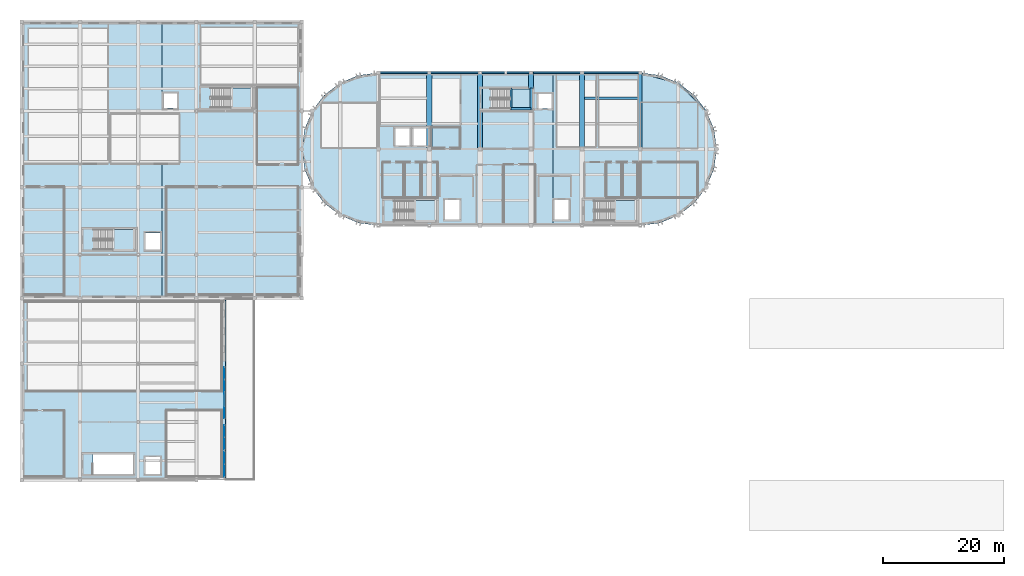
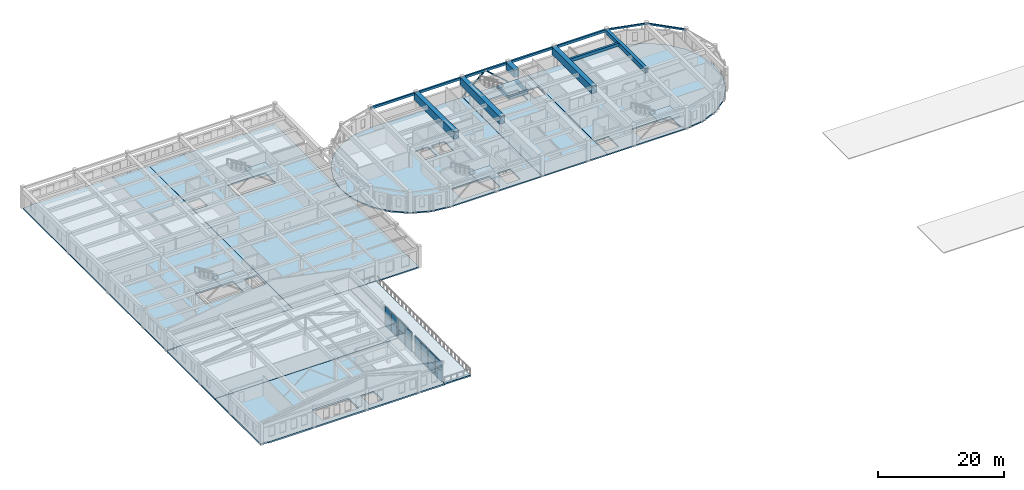
# One storey, part 8 of 31: 16 beams, 16 plates, 13 slabs, 2 members, 9 elements without a shape of their own.
"""IFC4 building model written with IfcOpenShell, lengths in metres."""

from ifc_helpers import new_model, si_unit, direction, frame, origin, origin_2d, place, context, subcontext, project, spatial, polyline, rectangle, hollow_rectangle, outline, extrude, material, layer, layer_set, material_profile, profile_set, type_object, element, aggregate, save


model = new_model("IFC4")

# Units and contexts
model_context = context("Model", 3, precision=1e-05, world=origin(), true_north=direction((0.0, 1.0)))
body_context = subcontext(model_context, "Body", "Model", "MODEL_VIEW")
ifc_project = project(units=[si_unit("LENGTHUNIT", "METRE"), si_unit("AREAUNIT", "SQUARE_METRE"), si_unit("VOLUMEUNIT", "CUBIC_METRE"), si_unit("PLANEANGLEUNIT", "RADIAN"), si_unit("MASSUNIT", "GRAM", prefix="KILO")], contexts=[model_context])

# Site, building, storey
site_placement = place(None, origin())
site = spatial("IfcSite", under=ifc_project, at=site_placement, CompositionType="ELEMENT")
building_placement = place(site_placement, origin())
building = spatial("IfcBuilding", under=site, at=building_placement, Name="Tarnavel Promenade Courthouse", CompositionType="ELEMENT")
storey_placement = place(building_placement, frame((0.0, 0.0, 18.60009765625)))
storey = spatial("IfcBuildingStorey", under=building, at=storey_placement, Name="L05", CompositionType="ELEMENT", Elevation=18.60009765625)

# Beams
ifc_material_1 = material(Name="Concrete C40/50", Category="concrete")
ifc_material_profile_1 = material_profile(ifc_material_1, rectangle(XDim=0.39990234375, YDim=0.60009765625, at=origin_2d()), Name="PT 400x600")
ifc_profile_set_1 = profile_set([ifc_material_profile_1], Name="Concrete C40/50")
beam_type_1 = type_object("IfcBeamType", Name="Concrete C40/50 BM-PT-400x600 (PT 400x600)", PredefinedType="JOIST", material=ifc_profile_set_1)
beam_1_placement = place(storey_placement, frame((92.794921875, 100.199951171875, 3.65478515625), z_axis=(1.0, 0.0, 0.0), x_axis=(0.0, 1.0, 0.0)))
element("IfcBeam", 1, at=beam_1_placement, inside=storey, type_object=beam_type_1, Name="L05 Secondary Floor Rib 2378", PredefinedType="JOIST", context=body_context, shape_type="SweptSolid", body=[
    extrude(rectangle(XDim=0.39990234375, YDim=0.60009765625, at=origin_2d()), origin(), (0.0, 0.0, 1.0), 8.9599609375),
])
ifc_material_profile_2 = material_profile(ifc_material_1, rectangle(XDim=0.550048828125, YDim=0.85009765625, at=origin_2d()), Name="PT 550x850")
ifc_profile_set_2 = profile_set([ifc_material_profile_2], Name="Concrete C40/50")
beam_type_2 = type_object("IfcBeamType", Name="Concrete C40/50 BM-PT-550x850 (PT 550x850)", PredefinedType="T_BEAM", material=ifc_profile_set_2)
beam_2_placement = place(storey_placement, frame((102.0, 91.800048828125, 3.52978515625), z_axis=(0.0, 1.0, 0.0), x_axis=(-1.0, 0.0, 0.0)))
element("IfcBeam", 2, at=beam_2_placement, inside=storey, type_object=beam_type_2, Name="L05 Transverse Girder 2317", PredefinedType="T_BEAM", context=body_context, shape_type="SweptSolid", body=[
    extrude(rectangle(XDim=0.550048828125, YDim=0.85009765625, at=origin_2d()), origin(), (0.0, 0.0, 1.0), 12.599853515625),
])
ifc_material_profile_3 = material_profile(ifc_material_1, rectangle(XDim=0.35009765625, YDim=0.449951171875, at=origin_2d()), Name="RC 350x450")
ifc_profile_set_3 = profile_set([ifc_material_profile_3], Name="Concrete C40/50")
beam_type_3 = type_object("IfcBeamType", Name="Concrete C40/50 BM-RC-350x450 (RC 350x450)", PredefinedType="BEAM", material=ifc_profile_set_3)
for number, where, z_axis, x_axis, name in (
    (3, (80.68994140625, 98.320068359375, 1.669921875), (0.0, 1.0, 0.0), (-1.0, 0.0, 0.0), "L05 ST-03 Mid-Landing Support Beam Near"),
    (4, (84.02001953125, 98.320068359375, 1.669921875), (0.0, 1.0, 0.0), (-1.0, 0.0, 0.0), "L05 ST-03 Mid-Landing Support Beam Far"),
):
    element("IfcBeam", number, at=place(storey_placement, frame(where, z_axis=z_axis, x_axis=x_axis)), inside=storey, type_object=beam_type_3, Name=name, PredefinedType="BEAM", context=body_context, shape_type="SweptSolid", body=[
        extrude(rectangle(XDim=0.35009765625, YDim=0.449951171875, at=origin_2d()), origin(), (0.0, 0.0, 1.0), 3.599853515625),
    ])
beam_3_placement = place(storey_placement, frame((80.68994140625, 98.469970703125, 1.669921875), z_axis=(1.0, 0.0, 0.0), x_axis=(0.0, 1.0, 0.0)))
element("IfcBeam", 5, at=beam_3_placement, inside=storey, type_object=beam_type_3, Name="L05 ST-03 Mid-Landing Edge Trimmer", PredefinedType="BEAM", context=body_context, shape_type="SweptSolid", body=[
    extrude(rectangle(XDim=0.35009765625, YDim=0.449951171875, at=origin_2d()), origin(), (0.0, 0.0, 1.0), 3.330078125),
])
ifc_material_profile_4 = material_profile(ifc_material_1, rectangle(XDim=0.300048828125, YDim=0.449951171875, at=origin_2d()), Name="RC 300x450")
ifc_profile_set_4 = profile_set([ifc_material_profile_4], Name="Concrete C40/50")
beam_type_4 = type_object("IfcBeamType", Name="Concrete C40/50 BM-SP-300x450 (RC 300x450)", PredefinedType="SPANDREL", material=ifc_profile_set_4)
beam_4_placement = place(storey_placement, frame((58.800048828125, 104.39990234375, 3.72998046875), z_axis=(1.0, 0.0, 0.0), x_axis=(0.0, 1.0, 0.0)))
element("IfcBeam", 6, at=beam_4_placement, inside=storey, type_object=beam_type_4, Name="L05 Primary Longitudinal Beam 2266", PredefinedType="SPANDREL", context=body_context, shape_type="SweptSolid", body=[
    extrude(rectangle(XDim=0.300048828125, YDim=0.449951171875, at=origin_2d()), origin(), (0.0, 0.0, 1.0), 8.39990234375),
])
beam_5_placement = place(storey_placement, frame((67.199951171875, 104.39990234375, 3.72998046875), z_axis=(1.0, 0.0, 0.0), x_axis=(0.0, 1.0, 0.0)))
element("IfcBeam", 7, at=beam_5_placement, inside=storey, type_object=beam_type_4, Name="L05 Primary Longitudinal Beam 2267", PredefinedType="SPANDREL", context=body_context, shape_type="SweptSolid", body=[
    extrude(rectangle(XDim=0.300048828125, YDim=0.449951171875, at=origin_2d()), origin(), (0.0, 0.0, 1.0), 8.400146484375),
])
for number, where, z_axis, x_axis, name in (
    (8, (75.60009765625, 104.39990234375, 3.72998046875), (1.0, 0.0, 0.0), (0.0, 1.0, 0.0), "L05 Primary Longitudinal Beam 2268"),
    (9, (84.0, 104.39990234375, 3.72998046875), (1.0, 0.0, 0.0), (0.0, 1.0, 0.0), "L05 Primary Longitudinal Beam 2269"),
):
    element("IfcBeam", number, at=place(storey_placement, frame(where, z_axis=z_axis, x_axis=x_axis)), inside=storey, type_object=beam_type_4, Name=name, PredefinedType="SPANDREL", context=body_context, shape_type="SweptSolid", body=[
        extrude(rectangle(XDim=0.300048828125, YDim=0.449951171875, at=origin_2d()), origin(), (0.0, 0.0, 1.0), 8.39990234375),
    ])
ifc_material_profile_5 = material_profile(ifc_material_1, rectangle(XDim=0.300048828125, YDim=0.5, at=origin_2d()), Name="RC 300x500")
ifc_profile_set_5 = profile_set([ifc_material_profile_5], Name="Concrete C40/50")
beam_type_5 = type_object("IfcBeamType", Name="Concrete C40/50 BM-SP-300x500 (RC 300x500)", PredefinedType="SPANDREL", material=ifc_profile_set_5)
beam_6_placement = place(storey_placement, frame((92.39990234375, 104.39990234375, 3.704833984375), z_axis=(1.0, 0.0, 0.0), x_axis=(0.0, 1.0, 0.0)))
element("IfcBeam", 10, at=beam_6_placement, inside=storey, type_object=beam_type_5, Name="L05 Primary Longitudinal Beam 2270", PredefinedType="SPANDREL", context=body_context, shape_type="SweptSolid", body=[
    extrude(rectangle(XDim=0.300048828125, YDim=0.5, at=origin_2d()), origin(), (0.0, 0.0, 1.0), 9.60009765625),
])
ifc_material_profile_6 = material_profile(ifc_material_1, rectangle(XDim=0.85009765625, YDim=1.449951171875, at=origin_2d()), Name="TG 850x1450")
ifc_profile_set_6 = profile_set([ifc_material_profile_6], Name="Concrete C40/50")
beam_type_6 = type_object("IfcBeamType", Name="Concrete C40/50 BM-TG-850x1450 (TG 850x1450)", PredefinedType="T_BEAM", material=ifc_profile_set_6)
for number, where, z_axis, x_axis, name in (
    (11, (67.199951171875, 91.800048828125, 3.22998046875), (0.0, 1.0, 0.0), (-1.0, 0.0, 0.0), "L05 Transfer Girder 2218"),
    (12, (75.60009765625, 91.800048828125, 3.22998046875), (0.0, 1.0, 0.0), (-1.0, 0.0, 0.0), "L05 Transfer Girder 2220"),
):
    element("IfcBeam", number, at=place(storey_placement, frame(where, z_axis=z_axis, x_axis=x_axis)), inside=storey, type_object=beam_type_6, Name=name, PredefinedType="T_BEAM", context=body_context, shape_type="SweptSolid", body=[
        extrude(rectangle(XDim=0.85009765625, YDim=1.449951171875, at=origin_2d()), origin(), (0.0, 0.0, 1.0), 12.599853515625),
    ])
beam_7_placement = place(storey_placement, frame((84.0, 101.7900390625, 3.22998046875), z_axis=(0.0, 1.0, 0.0), x_axis=(-1.0, 0.0, 0.0)))
element("IfcBeam", 13, at=beam_7_placement, inside=storey, type_object=beam_type_6, Name="L05 Transfer Girder 2223", PredefinedType="T_BEAM", context=body_context, shape_type="SweptSolid", body=[
    extrude(rectangle(XDim=0.85009765625, YDim=1.449951171875, at=origin_2d()), origin(), (0.0, 0.0, 1.0), 2.60986328125),
])
beam_8_placement = place(storey_placement, frame((92.39990234375, 91.800048828125, 3.22998046875), z_axis=(0.0, 1.0, 0.0), x_axis=(-1.0, 0.0, 0.0)))
element("IfcBeam", 14, at=beam_8_placement, inside=storey, type_object=beam_type_6, Name="L05 Transfer Girder 2225", PredefinedType="T_BEAM", context=body_context, shape_type="SweptSolid", body=[
    extrude(rectangle(XDim=0.85009765625, YDim=1.449951171875, at=origin_2d()), origin(), (0.0, 0.0, 1.0), 12.599853515625),
])
ifc_material_2 = material(Name="Steel S355J2", Category="steel")
ifc_material_profile_7 = material_profile(ifc_material_2, hollow_rectangle(XDim=0.199951171875, YDim=0.35009765625, WallThickness=0.012451171875, InnerFilletRadius=0.012451171875, OuterFilletRadius=0.02490234375, at=origin_2d()), Name="RHS 350x200x12.5")
ifc_profile_set_7 = profile_set([ifc_material_profile_7], Name="Steel S355J2")
beam_type_7 = type_object("IfcBeamType", Name="Steel S355J2 BM-ST-RHS350 (RHS 350x200x12.5)", PredefinedType="SPANDREL", material=ifc_profile_set_7)
beam_9_placement = place(storey_placement, frame((112.911865234375, 98.10009765625, 3.77978515625), z_axis=(-0.707106781187, 0.707106781187, 0.0), x_axis=(-0.707106781187, -0.707106781187, 0.0)))
element("IfcBeam", 15, at=beam_9_placement, inside=storey, type_object=beam_type_7, Name="L05 Drum Ring Spandrel 2389", PredefinedType="SPANDREL", context=body_context, shape_type="SweptSolid", body=[
    extrude(hollow_rectangle(XDim=0.199951171875, YDim=0.35009765625, WallThickness=0.012451171875, InnerFilletRadius=0.012451171875, OuterFilletRadius=0.02490234375, at=origin_2d()), origin(), (0.0, 0.0, 1.0), 6.52197265625),
])
beam_10_placement = place(storey_placement, frame((108.300048828125, 102.7119140625, 3.77978515625), z_axis=(-0.965929839907, 0.258804065612, 0.0), x_axis=(-0.258804065612, -0.965929839907, 0.0)))
element("IfcBeam", 16, at=beam_10_placement, inside=storey, type_object=beam_type_7, Name="L05 Drum Ring Spandrel 2390", PredefinedType="SPANDREL", context=body_context, shape_type="SweptSolid", body=[
    extrude(hollow_rectangle(XDim=0.199951171875, YDim=0.35009765625, WallThickness=0.012451171875, InnerFilletRadius=0.012451171875, OuterFilletRadius=0.02490234375, at=origin_2d()), origin(), (0.0, 0.0, 1.0), 6.522216796875),
])

# Members
ifc_material_profile_8 = material_profile(ifc_material_2, hollow_rectangle(XDim=0.199951171875, YDim=0.199951171875, WallThickness=0.012451171875, InnerFilletRadius=0.012451171875, OuterFilletRadius=0.02490234375, at=origin_2d()), Name="SHS 200x200x12.5")
ifc_profile_set_8 = profile_set([ifc_material_profile_8], Name="Steel S355J2")
member_type = type_object("IfcMemberType", Name="Steel S355J2 MEM-BR-SHS200 (SHS 200x200x12.5)", PredefinedType="BRACE", material=ifc_profile_set_8)
for number, where, z_axis, x_axis, name in (
    (17, (75.60009765625, 104.39990234375, 0.0), (0.749926900008, 0.0, 0.661520706134), (0.0, 1.0, 0.0), "L05 V5 Chevron Brace A 023"),
    (18, (84.0, 104.39990234375, 0.0), (-0.749926900008, 0.0, 0.661520706134), (0.0, -1.0, 0.0), "L05 V5 Chevron Brace B 023"),
):
    element("IfcMember", number, at=place(storey_placement, frame(where, z_axis=z_axis, x_axis=x_axis)), inside=storey, type_object=member_type, Name=name, PredefinedType="BRACE", context=body_context, shape_type="SweptSolid", body=[
        extrude(hollow_rectangle(XDim=0.199951171875, YDim=0.199951171875, WallThickness=0.012451171875, InnerFilletRadius=0.012451171875, OuterFilletRadius=0.02490234375, at=origin_2d()), origin(), (0.0, 0.0, 1.0), 5.6005859375),
    ])

# Slabs
ifc_material_3 = material(Name="Concrete C35/45", Category="concrete")
ifc_layer_1 = layer(ifc_material_3, 0.239990234375)
ifc_layer_set_1 = layer_set([ifc_layer_1], Name="Concrete C35/45")
slab_type_1 = type_object("IfcSlabType", Name="Concrete C35/45 SLB-FLR-240 (240 mm)", PredefinedType="FLOOR", material=ifc_layer_set_1)
slab_1_placement = place(storey_placement, frame((0.0, 0.0, -0.239990234375)))
element("IfcSlab", 19, at=slab_1_placement, inside=storey, type_object=slab_type_1, Name="L05 Stacked Courts West Drum Floor Slab", PredefinedType="FLOOR", context=body_context, shape_type="SweptSolid", body=[
    extrude(outline(polyline([(75.580078125, 79.219970703125), (75.580078125, 104.3798828125), (58.800048828125, 104.39990234375), (55.538818359375, 103.970703125), (52.5, 102.7119140625), (49.890380859375, 100.70947265625), (47.88818359375, 98.10009765625), (46.62939453125, 95.06103515625), (46.199951171875, 91.800048828125), (46.62939453125, 88.538818359375), (47.88818359375, 85.5), (49.890380859375, 82.890380859375), (52.5, 80.88818359375), (55.538818359375, 79.62939453125), (58.800048828125, 79.199951171875), (75.580078125, 79.219970703125)]), holes=[polyline([(61.405029296875, 80.0), (68.39990234375, 80.0), (68.39990234375, 83.320068359375), (61.405029296875, 83.320068359375), (61.405029296875, 80.0)]), polyline([(69.800048828125, 80.199951171875), (72.199951171875, 80.199951171875), (72.199951171875, 83.39990234375), (69.800048828125, 83.39990234375), (69.800048828125, 80.199951171875)]), polyline([(61.60009765625, 92.39990234375), (64.0, 92.39990234375), (64.0, 95.199951171875), (61.60009765625, 95.199951171875), (61.60009765625, 92.39990234375)]), polyline([(64.60009765625, 92.39990234375), (67.0, 92.39990234375), (67.0, 95.199951171875), (64.60009765625, 95.199951171875), (64.60009765625, 92.39990234375)])]), origin(), (0.0, 0.0, 1.0), 0.239990234375),
])
slab_2_placement = place(storey_placement, frame((0.0, 0.0, -0.239990234375)))
element("IfcSlab", 20, at=slab_2_placement, inside=storey, type_object=slab_type_1, Name="L05 Stacked Courts Central Floor Slab", PredefinedType="FLOOR", context=body_context, shape_type="SweptSolid", body=[
    extrude(outline(polyline([(75.6201171875, 79.219970703125), (87.580078125, 79.219970703125), (87.580078125, 104.3798828125), (77.02001953125, 104.3798828125), (77.02001953125, 104.219970703125), (75.6201171875, 104.219970703125), (75.6201171875, 79.219970703125)]), holes=[polyline([(77.364990234375, 98.5), (84.199951171875, 98.5), (84.199951171875, 101.739990234375), (77.364990234375, 101.739990234375), (77.364990234375, 98.5)]), polyline([(85.199951171875, 98.5), (87.39990234375, 98.5), (87.39990234375, 100.89990234375), (85.199951171875, 100.89990234375), (85.199951171875, 98.5)])]), origin(), (0.0, 0.0, 1.0), 0.239990234375),
])
slab_3_placement = place(storey_placement, frame((0.0, 0.0, -0.239990234375)))
element("IfcSlab", 21, at=slab_3_placement, inside=storey, type_object=slab_type_1, Name="L05 Stacked Courts East Drum Floor Slab", PredefinedType="FLOOR", context=body_context, shape_type="SweptSolid", body=[
    extrude(outline(polyline([(87.6201171875, 104.3798828125), (87.6201171875, 79.219970703125), (102.0, 79.199951171875), (105.26123046875, 79.62939453125), (108.300048828125, 80.88818359375), (110.909423828125, 82.890380859375), (112.911865234375, 85.5), (114.170654296875, 88.538818359375), (114.60009765625, 91.800048828125), (114.170654296875, 95.06103515625), (112.911865234375, 98.10009765625), (110.909423828125, 100.70947265625), (108.300048828125, 102.7119140625), (105.26123046875, 103.970703125), (102.0, 104.39990234375), (87.6201171875, 104.3798828125)]), holes=[polyline([(94.405029296875, 80.0), (101.39990234375, 80.0), (101.39990234375, 83.320068359375), (94.405029296875, 83.320068359375), (94.405029296875, 80.0)]), polyline([(87.800048828125, 80.199951171875), (90.199951171875, 80.199951171875), (90.199951171875, 83.39990234375), (87.800048828125, 83.39990234375), (87.800048828125, 80.199951171875)])]), origin(), (0.0, 0.0, 1.0), 0.239990234375),
])
ifc_layer_2 = layer(ifc_material_3, 0.2548828125)
ifc_layer_set_2 = layer_set([ifc_layer_2], Name="Concrete C35/45")
slab_type_2 = type_object("IfcSlabType", Name="Concrete C35/45 SLB-TER-255 (255 mm)", PredefinedType="FLOOR", material=ifc_layer_set_2)
slab_4_placement = place(storey_placement, frame((0.0, 0.0, -0.255126953125)))
element("IfcSlab", 22, at=slab_4_placement, inside=storey, type_object=slab_type_2, Name="L05 Law Library Outdoor Reading Terrace", PredefinedType="FLOOR", context=body_context, shape_type="SweptSolid", body=[
    extrude(outline(polyline([(33.6201171875, 37.239990234375), (38.3798828125, 37.239990234375), (38.3798828125, 67.179931640625), (33.6201171875, 67.179931640625), (33.6201171875, 37.239990234375)])), origin(), (0.0, 0.0, 1.0), 0.255126953125),
])

# Stair, slab
stair_type_1 = type_object("IfcStairType", Name="Concrete C35/45 Half-Turn Stair STR-03 (1560W-300G-24R)", PredefinedType="HALF_TURN_STAIR", material=ifc_material_3)
stair_1_placement = place(storey_placement, origin())
stair_1 = element("IfcStair", 23, at=stair_1_placement, inside=storey, type_object=stair_type_1, Name="L05 West Bar Firefighting Exit Stair", PredefinedType="HALF_TURN_STAIR")
ifc_layer_3 = layer(ifc_material_3, 0.205078125)
ifc_layer_set_3 = layer_set([ifc_layer_3], Name="Concrete C35/45")
slab_type_3 = type_object("IfcSlabType", Name="Concrete C35/45 Stair Landing SLB-LND-205 (205 mm)", PredefinedType="LANDING", material=ifc_layer_set_3)
slab_5_placement = place(storey_placement, frame((0.0, 0.0, 1.89990234375)))
slab_5 = element("IfcSlab", 24, at=slab_5_placement, type_object=slab_type_3, Name="ST-01 landing 1", PredefinedType="LANDING", context=body_context, shape_type="SweptSolid", body=[
    extrude(outline(polyline([(64.659912109375, 80.0), (68.39990234375, 80.0), (68.39990234375, 83.320068359375), (64.659912109375, 83.320068359375), (64.659912109375, 80.0)])), origin(), (0.0, 0.0, 1.0), 0.199951171875),
])
aggregate(stair_1, [slab_5])

stair_2_placement = place(storey_placement, origin())
stair_2 = element("IfcStair", 25, at=stair_2_placement, inside=storey, type_object=stair_type_1, Name="L05 East Bar Firefighting Exit Stair", PredefinedType="HALF_TURN_STAIR")
slab_6_placement = place(storey_placement, frame((0.0, 0.0, 1.89990234375)))
slab_6 = element("IfcSlab", 26, at=slab_6_placement, type_object=slab_type_3, Name="ST-02 landing 1", PredefinedType="LANDING", context=body_context, shape_type="SweptSolid", body=[
    extrude(outline(polyline([(97.659912109375, 80.0), (101.39990234375, 80.0), (101.39990234375, 83.320068359375), (97.659912109375, 83.320068359375), (97.659912109375, 80.0)])), origin(), (0.0, 0.0, 1.0), 0.199951171875),
])
aggregate(stair_2, [slab_6])

stair_type_2 = type_object("IfcStairType", Name="Concrete C35/45 Half-Turn Stair STR-06 (1520W-290G-24R)", PredefinedType="HALF_TURN_STAIR", material=ifc_material_3)
stair_3_placement = place(storey_placement, origin())
stair_3 = element("IfcStair", 27, at=stair_3_placement, inside=storey, type_object=stair_type_2, Name="L05 Central Judicial Chambers Exit Stair", PredefinedType="HALF_TURN_STAIR")
slab_7_placement = place(storey_placement, frame((0.0, 0.0, 1.89990234375)))
slab_7 = element("IfcSlab", 28, at=slab_7_placement, type_object=slab_type_3, Name="ST-03 landing 1", PredefinedType="LANDING", context=body_context, shape_type="SweptSolid", body=[
    extrude(outline(polyline([(80.510009765625, 98.5), (84.199951171875, 98.5), (84.199951171875, 101.739990234375), (80.510009765625, 101.739990234375), (80.510009765625, 98.5)])), origin(), (0.0, 0.0, 1.0), 0.199951171875),
])
aggregate(stair_3, [slab_7])

stair_type_3 = type_object("IfcStairType", Name="Concrete C35/45 Half-Turn Stair STR-09 (1580W-290G-24R)", PredefinedType="HALF_TURN_STAIR", material=ifc_material_3)
stair_4_placement = place(storey_placement, origin())
stair_4 = element("IfcStair", 29, at=stair_4_placement, inside=storey, type_object=stair_type_3, Name="L05 Trial Courts West Exit Stair", PredefinedType="HALF_TURN_STAIR")
slab_8_placement = place(storey_placement, frame((0.0, 0.0, 1.89990234375)))
slab_8 = element("IfcSlab", 30, at=slab_8_placement, type_object=slab_type_3, Name="ST-04 landing 1", PredefinedType="LANDING", context=body_context, shape_type="SweptSolid", body=[
    extrude(outline(polyline([(14.969970703125, 75.199951171875), (18.699951171875, 75.199951171875), (18.699951171875, 78.56005859375), (14.969970703125, 78.56005859375), (14.969970703125, 75.199951171875)])), origin(), (0.0, 0.0, 1.0), 0.199951171875),
])
aggregate(stair_4, [slab_8])

stair_type_4 = type_object("IfcStairType", Name="Concrete C35/45 Half-Turn Stair STR-12 (1540W-300G-24R)", PredefinedType="HALF_TURN_STAIR", material=ifc_material_3)
stair_5_placement = place(storey_placement, origin())
stair_5 = element("IfcStair", 31, at=stair_5_placement, inside=storey, type_object=stair_type_4, Name="L05 Trial Courts North Exit Stair", PredefinedType="HALF_TURN_STAIR")
slab_9_placement = place(storey_placement, frame((0.0, 0.0, 1.89990234375)))
slab_9 = element("IfcSlab", 32, at=slab_9_placement, type_object=slab_type_3, Name="ST-07 landing 1", PredefinedType="LANDING", context=body_context, shape_type="SweptSolid", body=[
    extrude(outline(polyline([(34.43994140625, 98.60009765625), (38.10009765625, 98.60009765625), (38.10009765625, 101.8798828125), (34.43994140625, 101.8798828125), (34.43994140625, 98.60009765625)])), origin(), (0.0, 0.0, 1.0), 0.199951171875),
])
aggregate(stair_5, [slab_9])

# Slabs
ifc_layer_4 = layer(ifc_material_1, 0.25)
ifc_layer_set_4 = layer_set([ifc_layer_4], Name="Concrete C40/50")
slab_type_4 = type_object("IfcSlabType", Name="Concrete C40/50 SLB-PT-250 (250 mm)", PredefinedType="FLOOR", material=ifc_layer_set_4)
slab_10_placement = place(storey_placement, frame((0.0, 0.0, -0.25)))
element("IfcSlab", 33, at=slab_10_placement, inside=storey, type_object=slab_type_4, Name="L05 Trial Courtrooms W PT Floor Slab", PredefinedType="FLOOR", context=body_context, shape_type="SweptSolid", body=[
    extrude(outline(polyline([(0.0, 67.219970703125), (23.080078125, 67.219970703125), (23.080078125, 112.800048828125), (1.39990234375, 112.800048828125), (1.39990234375, 112.639892578125), (0.0, 112.639892578125), (0.0, 67.219970703125)]), holes=[polyline([(11.824951171875, 75.199951171875), (18.699951171875, 75.199951171875), (18.699951171875, 78.56005859375), (11.824951171875, 78.56005859375), (11.824951171875, 75.199951171875)]), polyline([(20.39990234375, 75.199951171875), (22.800048828125, 75.199951171875), (22.800048828125, 78.0), (20.39990234375, 78.0), (20.39990234375, 75.199951171875)])]), origin(), (0.0, 0.0, 1.0), 0.25),
])
slab_11_placement = place(storey_placement, frame((0.0, 0.0, -0.25)))
element("IfcSlab", 34, at=slab_11_placement, inside=storey, type_object=slab_type_4, Name="L05 Trial Courtrooms E PT Floor Slab", PredefinedType="FLOOR", context=body_context, shape_type="SweptSolid", body=[
    extrude(outline(polyline([(23.1201171875, 67.219970703125), (46.179931640625, 67.219970703125), (46.179931640625, 112.800048828125), (24.52001953125, 112.800048828125), (24.52001953125, 112.639892578125), (23.1201171875, 112.639892578125), (23.1201171875, 67.219970703125)]), holes=[polyline([(31.18505859375, 98.60009765625), (38.10009765625, 98.60009765625), (38.10009765625, 101.8798828125), (31.18505859375, 101.8798828125), (31.18505859375, 98.60009765625)]), polyline([(23.39990234375, 98.60009765625), (25.60009765625, 98.60009765625), (25.60009765625, 101.0), (23.39990234375, 101.0), (23.39990234375, 98.60009765625)])]), origin(), (0.0, 0.0, 1.0), 0.25),
])
ifc_layer_5 = layer(ifc_material_1, 0.300048828125)
ifc_layer_set_5 = layer_set([ifc_layer_5], Name="Concrete C40/50")
slab_type_5 = type_object("IfcSlabType", Name="Concrete C40/50 SLB-STK-300 (300 mm)", PredefinedType="FLOOR", material=ifc_layer_set_5)
slab_12_placement = place(storey_placement, frame((0.0, 0.0, -0.300048828125)))
element("IfcSlab", 35, at=slab_12_placement, inside=storey, type_object=slab_type_5, Name="L05 Law Library S Heavy Stack Slab", PredefinedType="FLOOR", context=body_context, shape_type="SweptSolid", body=[
    extrude(outline(polyline([(0.0, 37.39990234375), (1.39990234375, 37.39990234375), (1.39990234375, 37.239990234375), (33.580078125, 37.239990234375), (33.580078125, 51.800048828125), (0.0, 51.800048828125), (0.0, 37.39990234375)]), holes=[polyline([(11.764892578125, 38.199951171875), (18.39990234375, 38.199951171875), (18.39990234375, 41.43994140625), (11.764892578125, 41.43994140625), (11.764892578125, 38.199951171875)]), polyline([(20.39990234375, 38.199951171875), (22.800048828125, 38.199951171875), (22.800048828125, 41.0), (20.39990234375, 41.0), (20.39990234375, 38.199951171875)])]), origin(), (0.0, 0.0, 1.0), 0.300048828125),
])
slab_13_placement = place(storey_placement, frame((0.0, 0.0, -0.300048828125)))
element("IfcSlab", 36, at=slab_13_placement, inside=storey, type_object=slab_type_5, Name="L05 Law Library N Heavy Stack Slab", PredefinedType="FLOOR", context=body_context, shape_type="SweptSolid", body=[
    extrude(outline(polyline([(0.0, 51.840087890625), (33.580078125, 51.840087890625), (33.580078125, 67.179931640625), (1.39990234375, 67.179931640625), (1.39990234375, 67.02001953125), (0.0, 67.02001953125), (0.0, 51.840087890625)])), origin(), (0.0, 0.0, 1.0), 0.300048828125),
])

# Curtain wall, plates
ifc_material_4 = material(Name="Thermally Broken Anodised Aluminium Curtain Wall System", Category="aluminium")
ifc_layer_6 = layer(ifc_material_4, 0.195068359375)
ifc_layer_set_6 = layer_set([ifc_layer_6], Name="Thermally Broken Anodised Aluminium Curtain Wall System")
curtain_wall_type = type_object("IfcCurtainWallType", Name="Thermally Broken Aluminium Triple-Glazed Curtain Wall CW-TER", PredefinedType="NOTDEFINED", material=ifc_layer_set_6)
curtain_wall_1_placement = place(storey_placement, origin())
curtain_wall_1 = element("IfcCurtainWall", 37, at=curtain_wall_1_placement, inside=storey, type_object=curtain_wall_type, Name="L05 Library Terrace Glazed Bay 181", PredefinedType="NOTDEFINED")
ifc_material_5 = material(Name="Triple Low-E Argon Insulated Glazing", Category="glass")
ifc_layer_7 = layer(ifc_material_5, 0.048095703125)
ifc_layer_set_7 = layer_set([ifc_layer_7], Name="Triple Low-E Argon Insulated Glazing")
plate_type = type_object("IfcPlateType", Name="Triple Low-E Argon Insulated Glazing Unit CWP-48 (48 mm)", PredefinedType="CURTAIN_PANEL", material=ifc_layer_set_7)
plate_1_placement = place(storey_placement, frame((33.39990234375, 38.794921875, 0.06982421875), z_axis=(0.0, 0.0, 1.0), x_axis=(0.0, 1.0, 0.0)))
plate_1 = element("IfcPlate", 38, at=plate_1_placement, type_object=plate_type, Name="CW-06 panel 1.1", PredefinedType="CURTAIN_PANEL", context=body_context, shape_type="SweptSolid", body=[
    extrude(rectangle(XDim=2.030029296875, YDim=0.048095703125, at=origin_2d()), origin(), (0.0, 0.0, 1.0), 1.864990234375),
])
plate_2_placement = place(storey_placement, frame((33.39990234375, 38.794921875, 2.0048828125), z_axis=(0.0, 0.0, 1.0), x_axis=(0.0, 1.0, 0.0)))
plate_2 = element("IfcPlate", 39, at=plate_2_placement, type_object=plate_type, Name="CW-06 panel 1.2", PredefinedType="CURTAIN_PANEL", context=body_context, shape_type="SweptSolid", body=[
    extrude(rectangle(XDim=2.030029296875, YDim=0.048095703125, at=origin_2d()), origin(), (0.0, 0.0, 1.0), 1.864990234375),
])
plate_3_placement = place(storey_placement, frame((33.39990234375, 40.905029296875, 0.06982421875), z_axis=(0.0, 0.0, 1.0), x_axis=(0.0, 1.0, 0.0)))
plate_3 = element("IfcPlate", 40, at=plate_3_placement, type_object=plate_type, Name="CW-06 panel 2.1", PredefinedType="CURTAIN_PANEL", context=body_context, shape_type="SweptSolid", body=[
    extrude(rectangle(XDim=2.030029296875, YDim=0.048095703125, at=origin_2d()), origin(), (0.0, 0.0, 1.0), 1.864990234375),
])
plate_4_placement = place(storey_placement, frame((33.39990234375, 40.905029296875, 2.0048828125), z_axis=(0.0, 0.0, 1.0), x_axis=(0.0, 1.0, 0.0)))
plate_4 = element("IfcPlate", 41, at=plate_4_placement, type_object=plate_type, Name="CW-06 panel 2.2", PredefinedType="CURTAIN_PANEL", context=body_context, shape_type="SweptSolid", body=[
    extrude(rectangle(XDim=2.030029296875, YDim=0.048095703125, at=origin_2d()), origin(), (0.0, 0.0, 1.0), 1.864990234375),
])
aggregate(curtain_wall_1, [plate_1, plate_2, plate_3, plate_4])

curtain_wall_2_placement = place(storey_placement, origin())
curtain_wall_2 = element("IfcCurtainWall", 42, at=curtain_wall_2_placement, inside=storey, type_object=curtain_wall_type, Name="L05 Library Terrace Glazed Bay 182", PredefinedType="NOTDEFINED")
plate_5_placement = place(storey_placement, frame((33.39990234375, 43.2451171875, 0.06982421875), z_axis=(0.0, 0.0, 1.0), x_axis=(0.0, 1.0, 0.0)))
plate_5 = element("IfcPlate", 43, at=plate_5_placement, type_object=plate_type, Name="CW-06 panel 1.1", PredefinedType="CURTAIN_PANEL", context=body_context, shape_type="SweptSolid", body=[
    extrude(rectangle(XDim=1.929931640625, YDim=0.048095703125, at=origin_2d()), origin(), (0.0, 0.0, 1.0), 1.864990234375),
])
plate_6_placement = place(storey_placement, frame((33.39990234375, 43.2451171875, 2.0048828125), z_axis=(0.0, 0.0, 1.0), x_axis=(0.0, 1.0, 0.0)))
plate_6 = element("IfcPlate", 44, at=plate_6_placement, type_object=plate_type, Name="CW-06 panel 1.2", PredefinedType="CURTAIN_PANEL", context=body_context, shape_type="SweptSolid", body=[
    extrude(rectangle(XDim=1.929931640625, YDim=0.048095703125, at=origin_2d()), origin(), (0.0, 0.0, 1.0), 1.864990234375),
])
plate_7_placement = place(storey_placement, frame((33.39990234375, 45.2548828125, 0.06982421875), z_axis=(0.0, 0.0, 1.0), x_axis=(0.0, 1.0, 0.0)))
plate_7 = element("IfcPlate", 45, at=plate_7_placement, type_object=plate_type, Name="CW-06 panel 2.1", PredefinedType="CURTAIN_PANEL", context=body_context, shape_type="SweptSolid", body=[
    extrude(rectangle(XDim=1.929931640625, YDim=0.048095703125, at=origin_2d()), origin(), (0.0, 0.0, 1.0), 1.864990234375),
])
plate_8_placement = place(storey_placement, frame((33.39990234375, 45.2548828125, 2.0048828125), z_axis=(0.0, 0.0, 1.0), x_axis=(0.0, 1.0, 0.0)))
plate_8 = element("IfcPlate", 46, at=plate_8_placement, type_object=plate_type, Name="CW-06 panel 2.2", PredefinedType="CURTAIN_PANEL", context=body_context, shape_type="SweptSolid", body=[
    extrude(rectangle(XDim=1.929931640625, YDim=0.048095703125, at=origin_2d()), origin(), (0.0, 0.0, 1.0), 1.864990234375),
])
aggregate(curtain_wall_2, [plate_5, plate_6, plate_7, plate_8])

curtain_wall_3_placement = place(storey_placement, origin())
curtain_wall_3 = element("IfcCurtainWall", 47, at=curtain_wall_3_placement, inside=storey, type_object=curtain_wall_type, Name="L05 Library Terrace Glazed Bay 183", PredefinedType="NOTDEFINED")
plate_9_placement = place(storey_placement, frame((33.39990234375, 48.3701171875, 0.06982421875), z_axis=(0.0, 0.0, 1.0), x_axis=(0.0, 1.0, 0.0)))
plate_9 = element("IfcPlate", 48, at=plate_9_placement, type_object=plate_type, Name="CW-06 panel 1.1", PredefinedType="CURTAIN_PANEL", context=body_context, shape_type="SweptSolid", body=[
    extrude(rectangle(XDim=1.97998046875, YDim=0.048095703125, at=origin_2d()), origin(), (0.0, 0.0, 1.0), 1.864990234375),
])
plate_10_placement = place(storey_placement, frame((33.39990234375, 48.3701171875, 2.0048828125), z_axis=(0.0, 0.0, 1.0), x_axis=(0.0, 1.0, 0.0)))
plate_10 = element("IfcPlate", 49, at=plate_10_placement, type_object=plate_type, Name="CW-06 panel 1.2", PredefinedType="CURTAIN_PANEL", context=body_context, shape_type="SweptSolid", body=[
    extrude(rectangle(XDim=1.97998046875, YDim=0.048095703125, at=origin_2d()), origin(), (0.0, 0.0, 1.0), 1.864990234375),
])
plate_11_placement = place(storey_placement, frame((33.39990234375, 50.429931640625, 0.06982421875), z_axis=(0.0, 0.0, 1.0), x_axis=(0.0, 1.0, 0.0)))
plate_11 = element("IfcPlate", 50, at=plate_11_placement, type_object=plate_type, Name="CW-06 panel 2.1", PredefinedType="CURTAIN_PANEL", context=body_context, shape_type="SweptSolid", body=[
    extrude(rectangle(XDim=1.97998046875, YDim=0.048095703125, at=origin_2d()), origin(), (0.0, 0.0, 1.0), 1.864990234375),
])
plate_12_placement = place(storey_placement, frame((33.39990234375, 50.429931640625, 2.0048828125), z_axis=(0.0, 0.0, 1.0), x_axis=(0.0, 1.0, 0.0)))
plate_12 = element("IfcPlate", 51, at=plate_12_placement, type_object=plate_type, Name="CW-06 panel 2.2", PredefinedType="CURTAIN_PANEL", context=body_context, shape_type="SweptSolid", body=[
    extrude(rectangle(XDim=1.97998046875, YDim=0.048095703125, at=origin_2d()), origin(), (0.0, 0.0, 1.0), 1.864990234375),
])
aggregate(curtain_wall_3, [plate_9, plate_10, plate_11, plate_12])

curtain_wall_4_placement = place(storey_placement, origin())
curtain_wall_4 = element("IfcCurtainWall", 52, at=curtain_wall_4_placement, inside=storey, type_object=curtain_wall_type, Name="L05 Library Terrace Glazed Bay 184", PredefinedType="NOTDEFINED")
plate_13_placement = place(storey_placement, frame((33.39990234375, 52.77001953125, 0.06982421875), z_axis=(0.0, 0.0, 1.0), x_axis=(0.0, 1.0, 0.0)))
plate_13 = element("IfcPlate", 53, at=plate_13_placement, type_object=plate_type, Name="CW-06 panel 1.1", PredefinedType="CURTAIN_PANEL", context=body_context, shape_type="SweptSolid", body=[
    extrude(rectangle(XDim=1.97998046875, YDim=0.048095703125, at=origin_2d()), origin(), (0.0, 0.0, 1.0), 1.864990234375),
])
plate_14_placement = place(storey_placement, frame((33.39990234375, 52.77001953125, 2.0048828125), z_axis=(0.0, 0.0, 1.0), x_axis=(0.0, 1.0, 0.0)))
plate_14 = element("IfcPlate", 54, at=plate_14_placement, type_object=plate_type, Name="CW-06 panel 1.2", PredefinedType="CURTAIN_PANEL", context=body_context, shape_type="SweptSolid", body=[
    extrude(rectangle(XDim=1.97998046875, YDim=0.048095703125, at=origin_2d()), origin(), (0.0, 0.0, 1.0), 1.864990234375),
])
plate_15_placement = place(storey_placement, frame((33.39990234375, 54.830078125, 0.06982421875), z_axis=(0.0, 0.0, 1.0), x_axis=(0.0, 1.0, 0.0)))
plate_15 = element("IfcPlate", 55, at=plate_15_placement, type_object=plate_type, Name="CW-06 panel 2.1", PredefinedType="CURTAIN_PANEL", context=body_context, shape_type="SweptSolid", body=[
    extrude(rectangle(XDim=1.97998046875, YDim=0.048095703125, at=origin_2d()), origin(), (0.0, 0.0, 1.0), 1.864990234375),
])
plate_16_placement = place(storey_placement, frame((33.39990234375, 54.830078125, 2.0048828125), z_axis=(0.0, 0.0, 1.0), x_axis=(0.0, 1.0, 0.0)))
plate_16 = element("IfcPlate", 56, at=plate_16_placement, type_object=plate_type, Name="CW-06 panel 2.2", PredefinedType="CURTAIN_PANEL", context=body_context, shape_type="SweptSolid", body=[
    extrude(rectangle(XDim=1.97998046875, YDim=0.048095703125, at=origin_2d()), origin(), (0.0, 0.0, 1.0), 1.864990234375),
])
aggregate(curtain_wall_4, [plate_13, plate_14, plate_15, plate_16])

save(model, "model.ifc")
